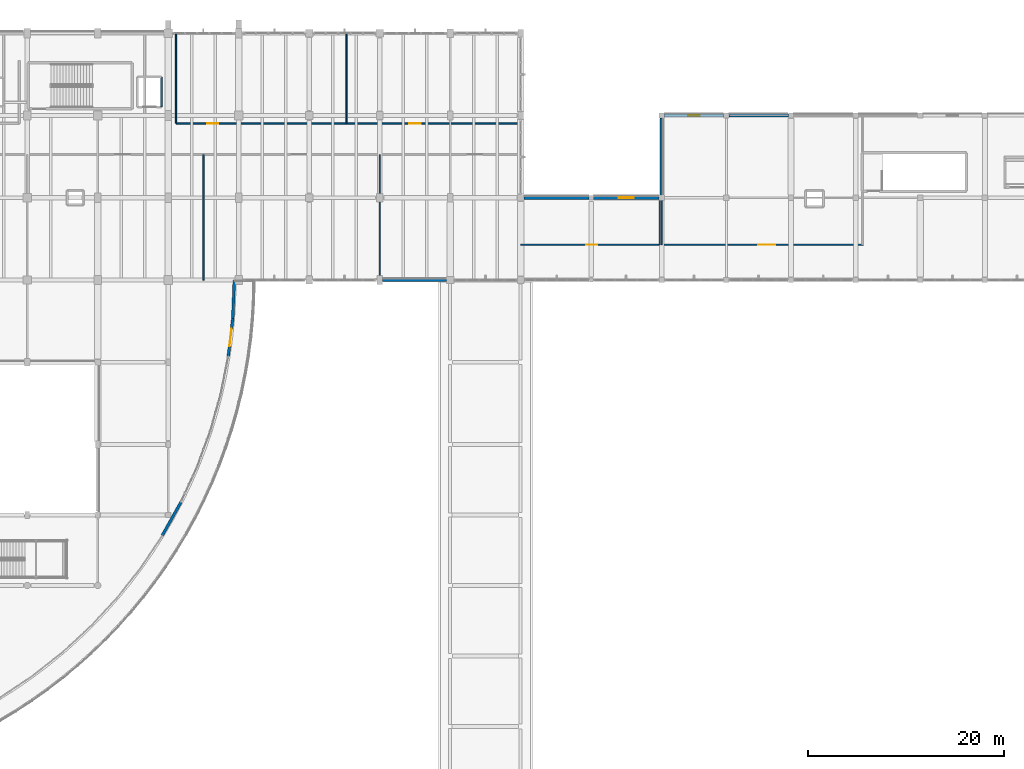
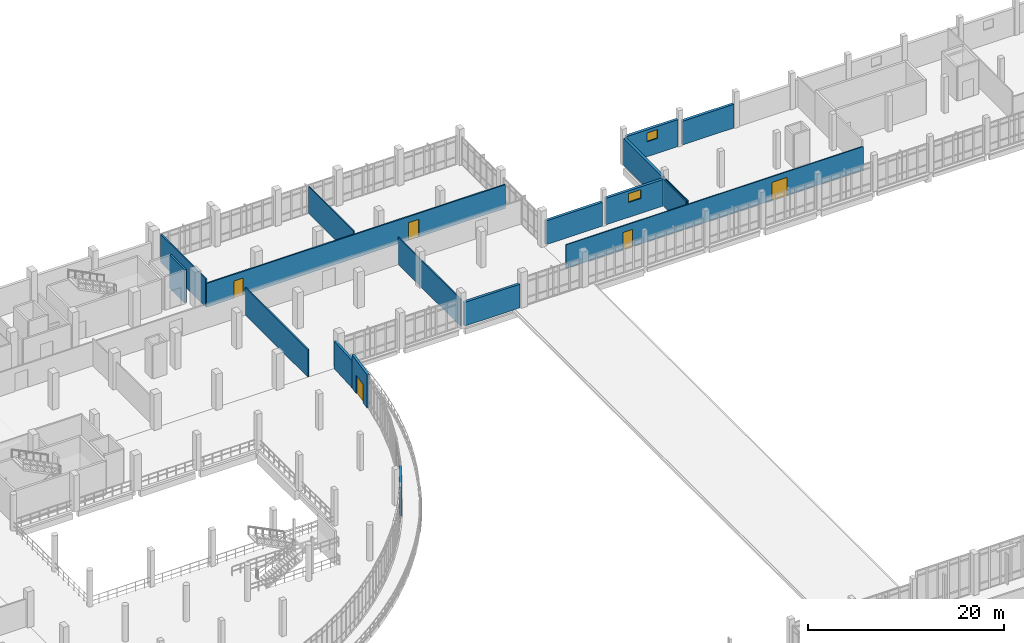
# One storey, part 118 of 134: 18 walls, 5 doors, 2 windows, 7 openings.
"""IFC4 building model written with IfcOpenShell, lengths in metres."""

from ifc_helpers import new_model, si_unit, direction, frame, frame_2d, origin, place, context, subcontext, project, spatial, rectangle, extrude, material, layer, layer_set, type_object, element, fill, save


model = new_model("IFC4")

# Units and contexts
model_context = context("Model", 3, precision=1e-05, world=origin(), true_north=direction((0.0, 1.0)))
body_context = subcontext(model_context, "Body", "Model", "MODEL_VIEW")
ifc_project = project(units=[si_unit("LENGTHUNIT", "METRE"), si_unit("AREAUNIT", "SQUARE_METRE"), si_unit("VOLUMEUNIT", "CUBIC_METRE"), si_unit("PLANEANGLEUNIT", "RADIAN"), si_unit("MASSUNIT", "GRAM", prefix="KILO")], contexts=[model_context])

# Site, building, storey
site_placement = place(None, origin())
site = spatial("IfcSite", under=ifc_project, at=site_placement, CompositionType="ELEMENT")
building_placement = place(site_placement, origin())
building = spatial("IfcBuilding", under=site, at=building_placement, Name="Kalluvel Institute of Natural Sciences", CompositionType="ELEMENT")
storey_placement = place(building_placement, frame((0.0, 0.0, 5.39990234375)))
storey = spatial("IfcBuildingStorey", under=building, at=storey_placement, Name="L01", CompositionType="ELEMENT", Elevation=5.39990234375)

# Wall
ifc_material_1 = material(Name="Sadarahalli Grey Granite Ashlar Concrete M40", Category="masonry")
ifc_layer_1 = layer(ifc_material_1, 0.280029296875)
ifc_layer_set_1 = layer_set([ifc_layer_1], Name="Sadarahalli Grey Granite Ashlar Concrete M40")
wall_type_1 = type_object("IfcWallType", Name="WL-EXT-280", PredefinedType="SOLIDWALL", material=ifc_layer_set_1)
wall_1_placement = place(storey_placement, frame((78.189453125, 76.701171875, 0.0), z_axis=(0.0, 0.0, 1.0), x_axis=(0.488578727618, 0.872519814628, 0.0)))
element("IfcWall", 1, at=wall_1_placement, inside=storey, type_object=wall_type_1, Name="L01 Sadarahalli granite exterior wall WL-EXT-L01-0218", PredefinedType="SOLIDWALL", context=body_context, shape_type="SweptSolid", body=[
    extrude(rectangle(XDim=3.922119140625, YDim=0.280029296875, at=frame_2d((1.9609375, 0.0))), origin(), (0.0, 0.0, 1.0), 3.505126953125),
])

# Wall, opening, door
wall_2_placement = place(storey_placement, frame((84.93505859375, 94.986083984375, 0.0), z_axis=(0.0, 0.0, 1.0), x_axis=(0.117520188786, 0.993070493584, 0.0)))
wall_2 = element("IfcWall", 2, at=wall_2_placement, inside=storey, type_object=wall_type_1, Name="L01 Sadarahalli granite exterior wall WL-EXT-L01-0219", PredefinedType="SOLIDWALL", context=body_context, shape_type="SweptSolid", body=[
    extrude(rectangle(XDim=3.922119140625, YDim=0.280029296875, at=frame_2d((1.9609375, 0.0))), origin(), (0.0, 0.0, 1.0), 4.150146484375),
])
opening_1_placement = place(wall_2_placement, frame((1.06103515625, 0.0, 0.0)))
opening_1 = element("IfcOpeningElement", 3, at=opening_1_placement, cuts=wall_2, Name="Opening DT-005", PredefinedType="OPENING", context=body_context, shape_type="SweptSolid", body=[
    extrude(rectangle(XDim=1.800048828125, YDim=2.300048828125, at=frame_2d((0.89990234375, 1.14990234375))), frame((0.0, 0.14990234375, 0.0), z_axis=(0.0, -1.0, 0.0), x_axis=(1.0, 0.0, 0.0)), (0.0, 0.0, 1.0), 0.300048828125),
])
ifc_material_2 = material(Name="Aluminium AW-6063 T6", Category="aluminium")
door_type_1 = type_object("IfcDoorType", Name="DR-TER-1800", OperationType="NOTDEFINED", PredefinedType="DOOR", material=ifc_material_2)
door_1_placement = place(opening_1_placement, origin())
door_1 = element("IfcDoor", 4, at=door_1_placement, inside=storey, type_object=door_type_1, Name="L01 Curved Stepped Atrium Terrace Door", OperationType="DOUBLE_DOOR_SINGLE_SWING", OverallHeight=2.300048828125, OverallWidth=1.800048828125, PredefinedType="DOOR", context=body_context, shape_type="SweptSolid", body=[
    extrude(rectangle(XDim=1.800048828125, YDim=2.300048828125, at=frame_2d((0.89990234375, 1.14990234375))), frame((0.0, 0.02490234375, 0.0), z_axis=(0.0, -1.0, 0.0), x_axis=(1.0, 0.0, 0.0)), (0.0, 0.0, 1.0), 0.050048828125),
])
fill(opening_1, door_1)

# Walls
wall_3_placement = place(storey_placement, frame((85.39599609375, 98.881103515625, 0.0), z_axis=(0.0, 0.0, 1.0), x_axis=(0.039279406681, 0.999228266319, 0.0)))
element("IfcWall", 5, at=wall_3_placement, inside=storey, type_object=wall_type_1, Name="L01 Sadarahalli granite exterior wall WL-EXT-L01-0220", PredefinedType="SOLIDWALL", context=body_context, shape_type="SweptSolid", body=[
    extrude(rectangle(XDim=3.921875, YDim=0.280029296875, at=frame_2d((1.9609375, 0.0))), origin(), (0.0, 0.0, 1.0), 3.405029296875),
])
ifc_layer_2 = layer(ifc_material_1, 0.300048828125)
ifc_layer_set_2 = layer_set([ifc_layer_2], Name="Sadarahalli Grey Granite Ashlar Concrete M40")
wall_type_2 = type_object("IfcWallType", Name="WL-EXT-300", PredefinedType="SOLIDWALL", material=ifc_layer_set_2)
wall_4_placement = place(storey_placement, frame((100.679931640625, 102.800048828125, 0.0), z_axis=(0.0, 0.0, 1.0), x_axis=(1.0, 0.0, 0.0)))
element("IfcWall", 6, at=wall_4_placement, inside=storey, type_object=wall_type_2, Name="L01 Sadarahalli granite exterior wall WL-EXT-L01-0024", PredefinedType="SOLIDWALL", context=body_context, shape_type="SweptSolid", body=[
    extrude(rectangle(XDim=6.565185546875, YDim=0.300048828125, at=frame_2d((3.28271484375, 0.0))), origin(), (0.0, 0.0, 1.0), 2.955078125),
])
ifc_layer_3 = layer(ifc_material_1, 0.320068359375)
ifc_layer_set_3 = layer_set([ifc_layer_3], Name="Sadarahalli Grey Granite Ashlar Concrete M40")
wall_type_3 = type_object("IfcWallType", Name="WL-EXT-320", PredefinedType="SOLIDWALL", material=ifc_layer_set_3)
wall_5_placement = place(storey_placement, frame((115.1298828125, 111.199951171875, 0.0), z_axis=(0.0, 0.0, 1.0), x_axis=(1.0, 0.0, 0.0)))
element("IfcWall", 7, at=wall_5_placement, inside=storey, type_object=wall_type_3, Name="L01 Sadarahalli granite exterior wall WL-EXT-L01-0251", PredefinedType="SOLIDWALL", context=body_context, shape_type="SweptSolid", body=[
    extrude(rectangle(XDim=6.6650390625, YDim=0.320068359375, at=frame_2d((3.33251953125, 0.0))), origin(), (0.0, 0.0, 1.0), 2.955078125),
])

# Wall, opening, window
wall_6_placement = place(storey_placement, frame((122.205078125, 111.199951171875, 0.0), z_axis=(0.0, 0.0, 1.0), x_axis=(1.0, 0.0, 0.0)))
wall_6 = element("IfcWall", 8, at=wall_6_placement, inside=storey, type_object=wall_type_3, Name="L01 Sadarahalli granite exterior wall WL-EXT-L01-0252", PredefinedType="SOLIDWALL", context=body_context, shape_type="SweptSolid", body=[
    extrude(rectangle(XDim=6.739990234375, YDim=0.320068359375, at=frame_2d((3.3701171875, 0.0))), origin(), (0.0, 0.0, 1.0), 3.30517578125),
])
opening_2_placement = place(wall_6_placement, frame((2.6201171875, 0.0, 1.85009765625)))
opening_2 = element("IfcOpeningElement", 9, at=opening_2_placement, cuts=wall_6, Name="Opening W-12", PredefinedType="OPENING", context=body_context, shape_type="SweptSolid", body=[
    extrude(rectangle(XDim=1.5, YDim=1.10009765625, at=frame_2d((0.75, 0.550048828125))), frame((0.0, 0.169921875, 0.0), z_axis=(0.0, -1.0, 0.0), x_axis=(1.0, 0.0, 0.0)), (0.0, 0.0, 1.0), 0.340087890625),
])
ifc_material_3 = material(Name="Solar-Control Low-E Laminated Glass", Category="glass")
window_type_1 = type_object("IfcWindowType", Name="WN-HIGH-150x110", PartitioningType="SINGLE_PANEL", PredefinedType="WINDOW", material=ifc_material_3)
window_1_placement = place(opening_2_placement, origin())
window_1 = element("IfcWindow", 10, at=window_1_placement, inside=storey, type_object=window_type_1, Name="L01 Gothic lancet window 52", OverallHeight=1.10009765625, OverallWidth=1.5, PartitioningType="SINGLE_PANEL", PredefinedType="WINDOW", context=body_context, shape_type="SweptSolid", body=[
    extrude(rectangle(XDim=1.5, YDim=1.10009765625, at=frame_2d((0.75, 0.550048828125))), frame((0.0, 0.030029296875, 0.0), z_axis=(0.0, -1.0, 0.0), x_axis=(1.0, 0.0, 0.0)), (0.0, 0.0, 1.0), 0.06005859375),
])
fill(opening_2, window_1)

wall_7_placement = place(storey_placement, frame((129.455078125, 119.60009765625, 0.0), z_axis=(0.0, 0.0, 1.0), x_axis=(1.0, 0.0, 0.0)))
wall_7 = element("IfcWall", 11, at=wall_7_placement, inside=storey, type_object=wall_type_3, Name="L01 Sadarahalli granite exterior wall WL-EXT-L01-0253", PredefinedType="SOLIDWALL", context=body_context, shape_type="SweptSolid", body=[
    extrude(rectangle(XDim=6.08984375, YDim=0.320068359375, at=frame_2d((3.044921875, 0.0))), origin(), (0.0, 0.0, 1.0), 3.35498046875),
])
opening_3_placement = place(wall_7_placement, frame((2.445068359375, 0.0, 1.85009765625)))
opening_3 = element("IfcOpeningElement", 12, at=opening_3_placement, cuts=wall_7, Name="Opening W-11", PredefinedType="OPENING", context=body_context, shape_type="SweptSolid", body=[
    extrude(rectangle(XDim=1.199951171875, YDim=1.10009765625, at=frame_2d((0.60009765625, 0.550048828125))), frame((0.0, 0.169921875, 0.0), z_axis=(0.0, -1.0, 0.0), x_axis=(1.0, 0.0, 0.0)), (0.0, 0.0, 1.0), 0.340087890625),
])
window_type_2 = type_object("IfcWindowType", Name="WN-HIGH-120x110", PartitioningType="SINGLE_PANEL", PredefinedType="WINDOW", material=ifc_material_3)
window_2_placement = place(opening_3_placement, origin())
window_2 = element("IfcWindow", 13, at=window_2_placement, inside=storey, type_object=window_type_2, Name="L01 Gothic lancet window 53", OverallHeight=1.10009765625, OverallWidth=1.199951171875, PartitioningType="SINGLE_PANEL", PredefinedType="WINDOW", context=body_context, shape_type="SweptSolid", body=[
    extrude(rectangle(XDim=1.199951171875, YDim=1.10009765625, at=frame_2d((0.60009765625, 0.550048828125))), frame((0.0, 0.030029296875, 0.0), z_axis=(0.0, -1.0, 0.0), x_axis=(1.0, 0.0, 0.0)), (0.0, 0.0, 1.0), 0.06005859375),
])
fill(opening_3, window_2)

# Walls
wall_8_placement = place(storey_placement, frame((136.054931640625, 119.60009765625, 0.0), z_axis=(0.0, 0.0, 1.0), x_axis=(1.0, 0.0, 0.0)))
element("IfcWall", 14, at=wall_8_placement, inside=storey, type_object=wall_type_3, Name="L01 Sadarahalli granite exterior wall WL-EXT-L01-0254", PredefinedType="SOLIDWALL", context=body_context, shape_type="SweptSolid", body=[
    extrude(rectangle(XDim=6.090087890625, YDim=0.320068359375, at=frame_2d((3.044921875, 0.0))), origin(), (0.0, 0.0, 1.0), 2.955078125),
])
wall_9_placement = place(storey_placement, frame((129.199951171875, 111.455078125, 0.0), z_axis=(0.0, 0.0, 1.0), x_axis=(0.0, 1.0, 0.0)))
element("IfcWall", 15, at=wall_9_placement, inside=storey, type_object=wall_type_3, Name="L01 Sadarahalli granite exterior wall WL-EXT-L01-0263", PredefinedType="SOLIDWALL", context=body_context, shape_type="SweptSolid", body=[
    extrude(rectangle(XDim=7.889892578125, YDim=0.320068359375, at=frame_2d((3.94482421875, 0.0))), origin(), (0.0, 0.0, 1.0), 3.35498046875),
])
ifc_material_4 = material(Name="Acoustic Gypsum Twin-Stud Partition", Category="gypsum")
ifc_layer_4 = layer(ifc_material_4, 0.1201171875)
ifc_layer_set_4 = layer_set([ifc_layer_4], Name="Acoustic Gypsum Twin-Stud Partition")
wall_type_4 = type_object("IfcWallType", Name="WL-PART-120", PredefinedType="PARTITIONING", material=ifc_layer_set_4)
wall_10_placement = place(storey_placement, frame((97.0, 118.800048828125, 0.0), z_axis=(0.0, 0.0, 1.0), x_axis=(0.0, 1.0, 0.0)))
element("IfcWall", 16, at=wall_10_placement, inside=storey, type_object=wall_type_4, Name="L01 interior partition wall WL-INT-L01-0098", PredefinedType="PARTITIONING", context=body_context, shape_type="SweptSolid", body=[
    extrude(rectangle(XDim=9.199951171875, YDim=0.1201171875, at=frame_2d((4.60009765625, 0.0))), origin(), (0.0, 0.0, 1.0), 3.360107421875),
])

# Wall, openings, doors
wall_11_placement = place(storey_placement, frame((114.800048828125, 106.39990234375, 0.0), z_axis=(0.0, 0.0, 1.0), x_axis=(1.0, 0.0, 0.0)))
wall_11 = element("IfcWall", 17, at=wall_11_placement, inside=storey, type_object=wall_type_4, Name="L01 interior partition wall WL-INT-L01-0116", PredefinedType="PARTITIONING", context=body_context, shape_type="SweptSolid", body=[
    extrude(rectangle(XDim=35.0, YDim=0.1201171875, at=frame_2d((17.5, 0.0))), origin(), (0.0, 0.0, 1.0), 2.960205078125),
])
opening_4_placement = place(wall_11_placement, frame((6.699951171875, 0.0, 0.0)))
opening_4 = element("IfcOpeningElement", 18, at=opening_4_placement, cuts=wall_11, Name="Opening D-117", PredefinedType="OPENING", context=body_context, shape_type="SweptSolid", body=[
    extrude(rectangle(XDim=1.10009765625, YDim=2.14990234375, at=frame_2d((0.550048828125, 1.074951171875))), frame((0.0, 0.070068359375, 0.0), z_axis=(0.0, -1.0, 0.0), x_axis=(1.0, 0.0, 0.0)), (0.0, 0.0, 1.0), 0.14013671875),
])
opening_5_placement = place(wall_11_placement, frame((24.25, 0.0, 0.0)))
opening_5 = element("IfcOpeningElement", 19, at=opening_5_placement, cuts=wall_11, Name="Opening D-118", PredefinedType="OPENING", context=body_context, shape_type="SweptSolid", body=[
    extrude(rectangle(XDim=1.75, YDim=2.25, at=frame_2d((0.875, 1.125))), frame((0.0, 0.070068359375, 0.0), z_axis=(0.0, -1.0, 0.0), x_axis=(1.0, 0.0, 0.0)), (0.0, 0.0, 1.0), 0.14013671875),
])
door_type_2 = type_object("IfcDoorType", Name="DR-DBL-1750", OperationType="NOTDEFINED", PredefinedType="DOOR", material=ifc_material_2)
door_2_placement = place(opening_5_placement, origin())
door_2 = element("IfcDoor", 20, at=door_2_placement, inside=storey, type_object=door_type_2, Name="ISO Class 6 Thin-Film Deposition Cleanroom door D-118", OperationType="DOUBLE_DOOR_SINGLE_SWING", OverallHeight=2.25, OverallWidth=1.75, PredefinedType="DOOR", context=body_context, shape_type="SweptSolid", body=[
    extrude(rectangle(XDim=1.75, YDim=2.25, at=frame_2d((0.875, 1.125))), frame((0.0, 0.02490234375, 0.0), z_axis=(0.0, -1.0, 0.0), x_axis=(1.0, 0.0, 0.0)), (0.0, 0.0, 1.0), 0.050048828125),
])
fill(opening_5, door_2)
ifc_material_5 = material(Name="Engineered Hardwood Acoustic Leaf", Category="wood")
door_type_3 = type_object("IfcDoorType", Name="DR-INT-1100", OperationType="NOTDEFINED", PredefinedType="DOOR", material=ifc_material_5)
door_3_placement = place(opening_4_placement, origin())
door_3 = element("IfcDoor", 21, at=door_3_placement, inside=storey, type_object=door_type_3, Name="Cleanroom Chemical Dispense and Gowning Room door D-117", OperationType="SINGLE_SWING_LEFT", OverallHeight=2.14990234375, OverallWidth=1.10009765625, PredefinedType="DOOR", context=body_context, shape_type="SweptSolid", body=[
    extrude(rectangle(XDim=1.10009765625, YDim=2.14990234375, at=frame_2d((0.550048828125, 1.074951171875))), frame((0.0, 0.02490234375, 0.0), z_axis=(0.0, -1.0, 0.0), x_axis=(1.0, 0.0, 0.0)), (0.0, 0.0, 1.0), 0.050048828125),
])
fill(opening_4, door_3)

# Walls
wall_12_placement = place(storey_placement, frame((129.199951171875, 106.39990234375, 0.0), z_axis=(0.0, 0.0, 1.0), x_axis=(0.0, 1.0, 0.0)))
element("IfcWall", 22, at=wall_12_placement, inside=storey, type_object=wall_type_4, Name="L01 interior partition wall WL-INT-L01-0119", PredefinedType="PARTITIONING", context=body_context, shape_type="SweptSolid", body=[
    extrude(rectangle(XDim=4.800048828125, YDim=0.1201171875, at=frame_2d((2.39990234375, 0.0))), origin(), (0.0, 0.0, 1.0), 3.360107421875),
])
ifc_layer_5 = layer(ifc_material_4, 0.139892578125)
ifc_layer_set_5 = layer_set([ifc_layer_5], Name="Acoustic Gypsum Twin-Stud Partition")
wall_type_5 = type_object("IfcWallType", Name="WL-PART-140", PredefinedType="PARTITIONING", material=ifc_layer_set_5)
wall_13_placement = place(storey_placement, frame((79.60009765625, 118.800048828125, 0.0), z_axis=(0.0, 0.0, 1.0), x_axis=(0.0, 1.0, 0.0)))
element("IfcWall", 23, at=wall_13_placement, inside=storey, type_object=wall_type_5, Name="L01 interior partition wall WL-INT-L01-0097", PredefinedType="PARTITIONING", context=body_context, shape_type="SweptSolid", body=[
    extrude(rectangle(XDim=9.199951171875, YDim=0.139892578125, at=frame_2d((4.60009765625, 0.0))), origin(), (0.0, 0.0, 1.0), 3.510009765625),
])
wall_14_placement = place(storey_placement, frame((100.39990234375, 102.800048828125, 0.0), z_axis=(0.0, 0.0, 1.0), x_axis=(0.0, 1.0, 0.0)))
element("IfcWall", 24, at=wall_14_placement, inside=storey, type_object=wall_type_5, Name="L01 interior partition wall WL-INT-L01-0103", PredefinedType="PARTITIONING", context=body_context, shape_type="SweptSolid", body=[
    extrude(rectangle(XDim=12.800048828125, YDim=0.139892578125, at=frame_2d((6.39990234375, 0.0))), origin(), (0.0, 0.0, 1.0), 3.360107421875),
])
wall_15_placement = place(storey_placement, frame((129.0, 106.39990234375, 0.0), z_axis=(0.0, 0.0, 1.0), x_axis=(0.0, 1.0, 0.0)))
element("IfcWall", 25, at=wall_15_placement, inside=storey, type_object=wall_type_5, Name="L01 interior partition wall WL-INT-L01-0118", PredefinedType="PARTITIONING", context=body_context, shape_type="SweptSolid", body=[
    extrude(rectangle(XDim=4.800048828125, YDim=0.139892578125, at=frame_2d((2.39990234375, 0.0))), origin(), (0.0, 0.0, 1.0), 3.360107421875),
])

# Wall, openings, doors
ifc_material_6 = material(Name="Autoclaved Aerated Concrete Masonry Block", Category="masonry")
ifc_layer_6 = layer(ifc_material_6, 0.159912109375)
ifc_layer_set_6 = layer_set([ifc_layer_6], Name="Autoclaved Aerated Concrete Masonry Block")
wall_type_6 = type_object("IfcWallType", Name="WL-PART-160", PredefinedType="PARTITIONING", material=ifc_layer_set_6)
wall_16_placement = place(storey_placement, frame((79.60009765625, 118.800048828125, 0.0), z_axis=(0.0, 0.0, 1.0), x_axis=(1.0, 0.0, 0.0)))
wall_16 = element("IfcWall", 26, at=wall_16_placement, inside=storey, type_object=wall_type_6, Name="L01 interior partition wall WL-INT-L01-0096", PredefinedType="PARTITIONING", context=body_context, shape_type="SweptSolid", body=[
    extrude(rectangle(XDim=35.199951171875, YDim=0.159912109375, at=frame_2d((17.60009765625, 0.0))), origin(), (0.0, 0.0, 1.0), 2.960205078125),
])
opening_6_placement = place(wall_16_placement, frame((3.199951171875, 0.0, 0.0)))
opening_6 = element("IfcOpeningElement", 27, at=opening_6_placement, cuts=wall_16, Name="Opening D-099", PredefinedType="OPENING", context=body_context, shape_type="SweptSolid", body=[
    extrude(rectangle(XDim=1.10009765625, YDim=2.14990234375, at=frame_2d((0.550048828125, 1.074951171875))), frame((0.0, 0.08984375, 0.0), z_axis=(0.0, -1.0, 0.0), x_axis=(1.0, 0.0, 0.0)), (0.0, 0.0, 1.0), 0.179931640625),
])
opening_7_placement = place(wall_16_placement, frame((23.800048828125, 0.0, 0.0)))
opening_7 = element("IfcOpeningElement", 28, at=opening_7_placement, cuts=wall_16, Name="Opening D-100", PredefinedType="OPENING", context=body_context, shape_type="SweptSolid", body=[
    extrude(rectangle(XDim=1.179931640625, YDim=2.199951171875, at=frame_2d((0.58984375, 1.10009765625))), frame((0.0, 0.08984375, 0.0), z_axis=(0.0, -1.0, 0.0), x_axis=(1.0, 0.0, 0.0)), (0.0, 0.0, 1.0), 0.179931640625),
])
door_4_placement = place(opening_6_placement, origin())
door_4 = element("IfcDoor", 29, at=door_4_placement, inside=storey, type_object=door_type_3, Name="L01 NE1 door D-099", OperationType="SINGLE_SWING_LEFT", OverallHeight=2.14990234375, OverallWidth=1.10009765625, PredefinedType="DOOR", context=body_context, shape_type="SweptSolid", body=[
    extrude(rectangle(XDim=1.10009765625, YDim=2.14990234375, at=frame_2d((0.550048828125, 1.074951171875))), frame((0.0, 0.02490234375, 0.0), z_axis=(0.0, -1.0, 0.0), x_axis=(1.0, 0.0, 0.0)), (0.0, 0.0, 1.0), 0.050048828125),
])
fill(opening_6, door_4)
door_type_4 = type_object("IfcDoorType", Name="DR-INT-1180", OperationType="NOTDEFINED", PredefinedType="DOOR", material=ifc_material_5)
door_5_placement = place(opening_7_placement, origin())
door_5 = element("IfcDoor", 30, at=door_5_placement, inside=storey, type_object=door_type_4, Name="L01 NE2 door D-100", OperationType="SINGLE_SWING_RIGHT", OverallHeight=2.199951171875, OverallWidth=1.179931640625, PredefinedType="DOOR", context=body_context, shape_type="SweptSolid", body=[
    extrude(rectangle(XDim=1.179931640625, YDim=2.199951171875, at=frame_2d((0.58984375, 1.10009765625))), frame((0.0, 0.02490234375, 0.0), z_axis=(0.0, -1.0, 0.0), x_axis=(1.0, 0.0, 0.0)), (0.0, 0.0, 1.0), 0.050048828125),
])
fill(opening_7, door_5)

# Walls
wall_17_placement = place(storey_placement, frame((82.39990234375, 102.800048828125, 0.0), z_axis=(0.0, 0.0, 1.0), x_axis=(0.0, 1.0, 0.0)))
element("IfcWall", 31, at=wall_17_placement, inside=storey, type_object=wall_type_6, Name="L01 interior partition wall WL-INT-L01-0102", PredefinedType="PARTITIONING", context=body_context, shape_type="SweptSolid", body=[
    extrude(rectangle(XDim=12.800048828125, YDim=0.159912109375, at=frame_2d((6.39990234375, 0.0))), origin(), (0.0, 0.0, 1.0), 3.41015625),
])
ifc_material_7 = material(Name="Concrete M40", Category="concrete")
ifc_layer_7 = layer(ifc_material_7, 0.219970703125)
ifc_layer_set_7 = layer_set([ifc_layer_7], Name="Concrete M40")
wall_type_7 = type_object("IfcWallType", Name="WL-SHAFT-220", PredefinedType="SHEAR", material=ifc_layer_set_7)
wall_18_placement = place(storey_placement, frame((78.1298828125, 120.469970703125, 0.0), z_axis=(0.0, 0.0, 1.0), x_axis=(0.0, 1.0, 0.0)))
element("IfcWall", 32, at=wall_18_placement, inside=storey, type_object=wall_type_7, Name="LF4 L01 lift shaft wall", PredefinedType="SHEAR", context=body_context, shape_type="SweptSolid", body=[
    extrude(rectangle(XDim=3.06005859375, YDim=0.219970703125, at=frame_2d((1.530029296875, 0.0))), origin(), (0.0, 0.0, 1.0), 4.175048828125),
])

save(model, "model.ifc")
